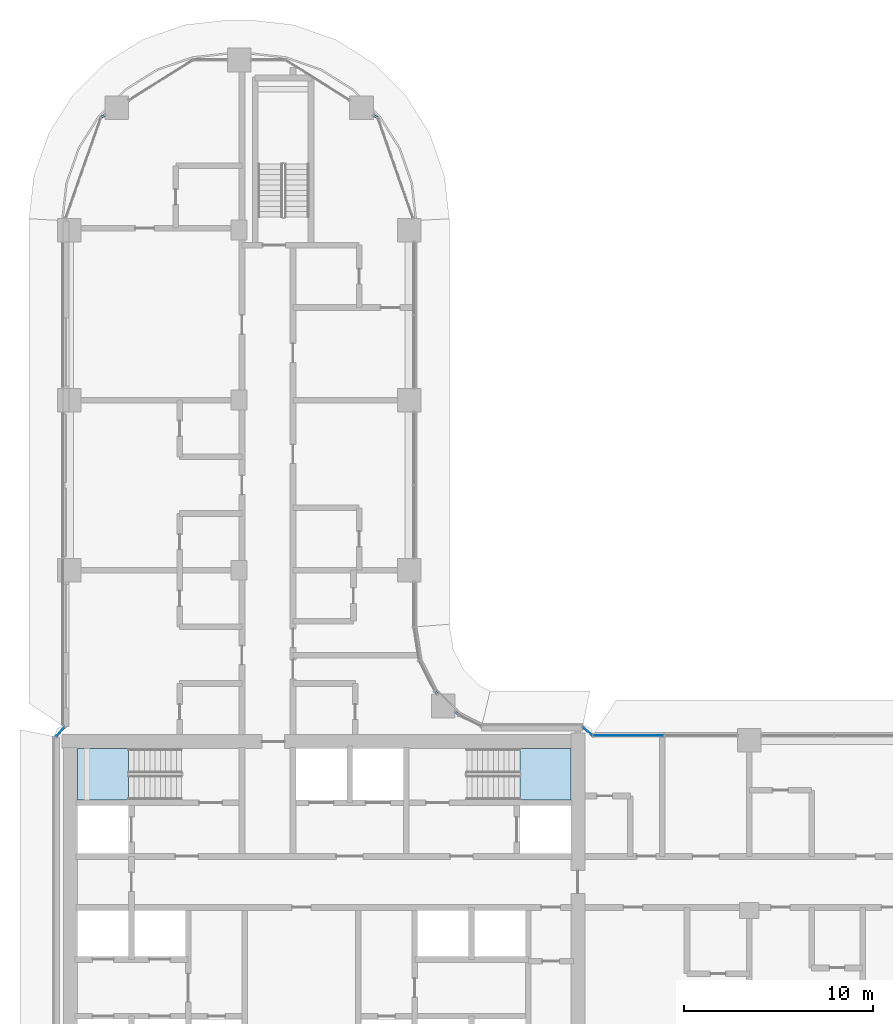
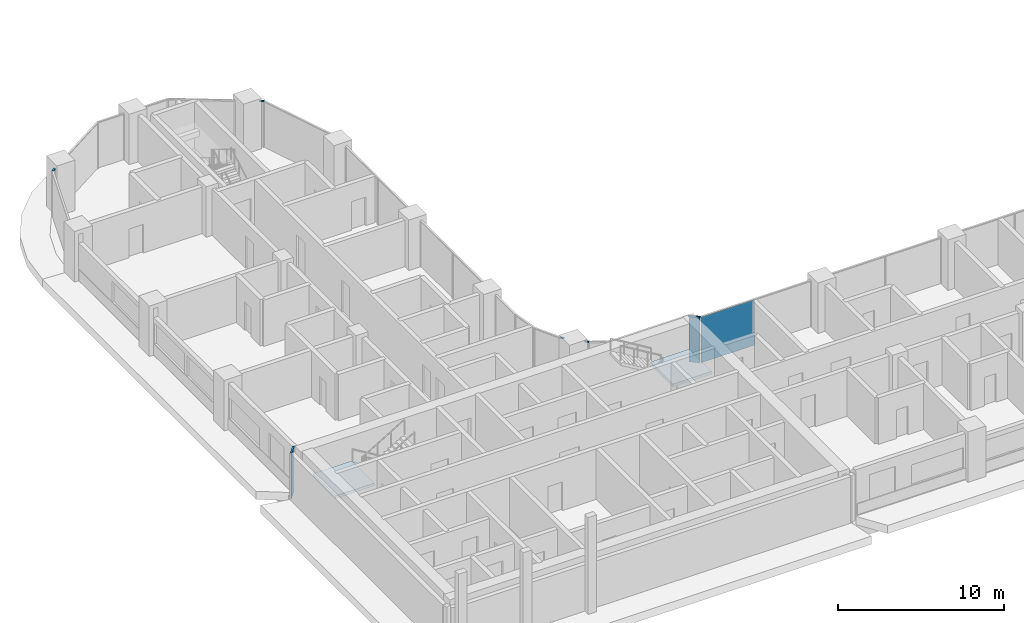
# One storey, part 10 of 33: 6 members, 3 plates, 2 slabs, 9 elements without a shape of their own.
"""IFC4 building model written with IfcOpenShell, lengths in metres."""

from ifc_helpers import new_model, si_unit, direction, frame, origin, origin_2d, place, context, subcontext, project, spatial, polyline, rectangle, outline, extrude, material, layer, layer_set, material_profile, profile_set, type_object, element, aggregate, save


model = new_model("IFC4")

# Units and contexts
model_context = context("Model", 3, precision=1e-05, world=origin(), true_north=direction((0.0, 1.0)))
body_context = subcontext(model_context, "Body", "Model", "MODEL_VIEW")
ifc_project = project(units=[si_unit("LENGTHUNIT", "METRE"), si_unit("AREAUNIT", "SQUARE_METRE"), si_unit("VOLUMEUNIT", "CUBIC_METRE"), si_unit("PLANEANGLEUNIT", "RADIAN"), si_unit("MASSUNIT", "GRAM", prefix="KILO")], contexts=[model_context])

# Site, building, storey
site_placement = place(None, origin())
site = spatial("IfcSite", under=ifc_project, at=site_placement, CompositionType="ELEMENT")
building_placement = place(site_placement, origin())
building = spatial("IfcBuilding", under=site, at=building_placement, Name="Ogive Portal Towers", CompositionType="ELEMENT")
storey_placement = place(building_placement, frame((0.0, 0.0, 98.199951171875)))
storey = spatial("IfcBuildingStorey", under=building, at=storey_placement, Name="L23", CompositionType="ELEMENT", Elevation=98.199951171875)

# Curtain wall, member
ifc_material_1 = material(Name="Glass, clear low-iron insulated glazing", Category="glass")
curtain_wall_type = type_object("IfcCurtainWallType", Name="CW FRONT RIBBON 4500", PredefinedType="NOTDEFINED", material=ifc_material_1)
curtain_wall_1_placement = place(storey_placement, origin())
curtain_wall_1 = element("IfcCurtainWall", 1, at=curtain_wall_1_placement, inside=storey, type_object=curtain_wall_type, Name="A:L23:f00:cwa", PredefinedType="NOTDEFINED")
ifc_material_2 = material(Name="Aluminium 6063 anodised", Category="aluminium")
ifc_material_profile = material_profile(ifc_material_2, rectangle(XDim=0.1201171875, YDim=0.06005859375, at=origin_2d()), Name="AL 120x60")
ifc_profile_set = profile_set([ifc_material_profile], Name="Aluminium 6063 anodised")
member_type = type_object("IfcMemberType", Name="CW TRANSOM 60x120", PredefinedType="USERDEFINED", material=ifc_profile_set)
member_1_placement = place(storey_placement, frame((59.22021484375, 39.739990234375, 3.3701171875), z_axis=(-0.753611342808, 0.657320275049, 0.0), x_axis=(-0.657320275049, -0.753611342808, 0.0)))
member_1 = element("IfcMember", 2, at=member_1_placement, type_object=member_type, Name="transom", ObjectType="TRANSOM", PredefinedType="USERDEFINED", context=body_context, shape_type="SweptSolid", body=[
    extrude(rectangle(XDim=0.1201171875, YDim=0.06005859375, at=origin_2d()), origin(), (0.0, 0.0, 1.0), 0.730224609375),
])

curtain_wall_2_placement = place(storey_placement, origin())
curtain_wall_2 = element("IfcCurtainWall", 3, at=curtain_wall_2_placement, inside=storey, type_object=curtain_wall_type, Name="A:L23:f02:cwa~0", PredefinedType="NOTDEFINED")
member_2_placement = place(storey_placement, frame((52.11376953125, 40.83935546875, 3.3701171875), z_axis=(-0.707106781187, 0.707106781187, 0.0), x_axis=(-0.707106781187, -0.707106781187, 0.0)))
member_2 = element("IfcMember", 4, at=member_2_placement, type_object=member_type, Name="transom", ObjectType="TRANSOM", PredefinedType="USERDEFINED", context=body_context, shape_type="SweptSolid", body=[
    extrude(rectangle(XDim=0.1201171875, YDim=0.06005859375, at=origin_2d()), origin(), (0.0, 0.0, 1.0), 0.252685546875),
])
aggregate(curtain_wall_2, [member_2])

curtain_wall_3_placement = place(storey_placement, origin())
curtain_wall_3 = element("IfcCurtainWall", 5, at=curtain_wall_3_placement, inside=storey, type_object=curtain_wall_type, Name="A:L23:f02:cwa~1", PredefinedType="NOTDEFINED")
member_3_placement = place(storey_placement, frame((51.01806640625, 41.93505859375, 3.3701171875), z_axis=(-0.707106781187, 0.707106781187, 0.0), x_axis=(-0.707106781187, -0.707106781187, 0.0)))
member_3 = element("IfcMember", 6, at=member_3_placement, type_object=member_type, Name="transom", ObjectType="TRANSOM", PredefinedType="USERDEFINED", context=body_context, shape_type="SweptSolid", body=[
    extrude(rectangle(XDim=0.1201171875, YDim=0.06005859375, at=origin_2d()), origin(), (0.0, 0.0, 1.0), 0.252685546875),
])
aggregate(curtain_wall_3, [member_3])

curtain_wall_4_placement = place(storey_placement, origin())
curtain_wall_4 = element("IfcCurtainWall", 7, at=curtain_wall_4_placement, inside=storey, type_object=curtain_wall_type, Name="A:L23:f07:cwa~0", PredefinedType="NOTDEFINED")
member_4_placement = place(storey_placement, frame((47.82958984375, 72.4462890625, 3.3701171875), z_axis=(-0.846843256455, 0.531842550946, 0.0), x_axis=(-0.531842550946, -0.846843256455, 0.0)))
member_4 = element("IfcMember", 8, at=member_4_placement, type_object=member_type, Name="transom", ObjectType="TRANSOM", PredefinedType="USERDEFINED", context=body_context, shape_type="SweptSolid", body=[
    extrude(rectangle(XDim=0.1201171875, YDim=0.06005859375, at=origin_2d()), origin(), (0.0, 0.0, 1.0), 0.273681640625),
])
aggregate(curtain_wall_4, [member_4])

curtain_wall_5_placement = place(storey_placement, origin())
curtain_wall_5 = element("IfcCurtainWall", 9, at=curtain_wall_5_placement, inside=storey, type_object=curtain_wall_type, Name="A:L23:f07:cwa~3", PredefinedType="NOTDEFINED")
member_5_placement = place(storey_placement, frame((33.402099609375, 72.591796875, 3.3701171875), z_axis=(-0.846843256455, -0.531842550946, 0.0), x_axis=(0.531842550946, -0.846843256455, 0.0)))
member_5 = element("IfcMember", 10, at=member_5_placement, type_object=member_type, Name="transom", ObjectType="TRANSOM", PredefinedType="USERDEFINED", context=body_context, shape_type="SweptSolid", body=[
    extrude(rectangle(XDim=0.1201171875, YDim=0.06005859375, at=origin_2d()), origin(), (0.0, 0.0, 1.0), 0.273681640625),
])
aggregate(curtain_wall_5, [member_5])

curtain_wall_6_placement = place(storey_placement, origin())
curtain_wall_6 = element("IfcCurtainWall", 11, at=curtain_wall_6_placement, inside=storey, type_object=curtain_wall_type, Name="A:L23:f13:cwa", PredefinedType="NOTDEFINED")
member_6_placement = place(storey_placement, frame((31.260009765625, 40.22021484375, 3.3701171875), z_axis=(-0.657320275049, -0.753611342808, 0.0), x_axis=(0.753611342808, -0.657320275049, 0.0)))
member_6 = element("IfcMember", 12, at=member_6_placement, type_object=member_type, Name="transom", ObjectType="TRANSOM", PredefinedType="USERDEFINED", context=body_context, shape_type="SweptSolid", body=[
    extrude(rectangle(XDim=0.1201171875, YDim=0.06005859375, at=origin_2d()), origin(), (0.0, 0.0, 1.0), 0.730224609375),
])

# Curtain wall, plate
curtain_wall_7_placement = place(storey_placement, origin())
curtain_wall_7 = element("IfcCurtainWall", 13, at=curtain_wall_7_placement, inside=storey, type_object=curtain_wall_type, Name="A:L23:f26:cw0~3", PredefinedType="NOTDEFINED")
ifc_layer_1 = layer(ifc_material_1, 0.028076171875)
ifc_layer_set_1 = layer_set([ifc_layer_1], Name="CW PANEL IGU 28")
plate_type = type_object("IfcPlateType", Name="CW PANEL IGU 28", PredefinedType="CURTAIN_PANEL", material=ifc_layer_set_1)
plate_1_placement = place(storey_placement, frame((61.110107421875, 39.739990234375, 0.0), z_axis=(0.0, 0.0, 1.0), x_axis=(-1.0, 0.0, 0.0)))
plate_1 = element("IfcPlate", 14, at=plate_1_placement, type_object=plate_type, Name="panel", PredefinedType="CURTAIN_PANEL", context=body_context, shape_type="SweptSolid", body=[
    extrude(rectangle(XDim=3.7197265625, YDim=0.028076171875, at=origin_2d()), origin(), (0.0, 0.0, 1.0), 3.340087890625),
])
aggregate(curtain_wall_7, [plate_1])

# Plate
plate_2_placement = place(storey_placement, frame((58.945068359375, 39.97998046875, 0.0), z_axis=(0.0, 0.0, 1.0), x_axis=(-0.753598923768, 0.657334513087, 0.0)))
plate_2 = element("IfcPlate", 15, at=plate_2_placement, type_object=plate_type, Name="panel", PredefinedType="CURTAIN_PANEL", context=body_context, shape_type="SweptSolid", body=[
    extrude(rectangle(XDim=0.670166015625, YDim=0.028076171875, at=origin_2d()), origin(), (0.0, 0.0, 1.0), 3.340087890625),
])

aggregate(curtain_wall_1, [member_1, plate_2])

plate_3_placement = place(storey_placement, frame((31.02001953125, 39.945068359375, 0.0), z_axis=(0.0, 0.0, 1.0), x_axis=(-0.657334513087, -0.753598923768, 0.0)))
plate_3 = element("IfcPlate", 16, at=plate_3_placement, type_object=plate_type, Name="panel", PredefinedType="CURTAIN_PANEL", context=body_context, shape_type="SweptSolid", body=[
    extrude(rectangle(XDim=0.670166015625, YDim=0.028076171875, at=origin_2d()), origin(), (0.0, 0.0, 1.0), 3.340087890625),
])

aggregate(curtain_wall_6, [member_6, plate_3])

# Stair, slab
ifc_material_3 = material(Name="Concrete C40/50", Category="concrete")
stair_type = type_object("IfcStairType", Name="INT-STAIR", PredefinedType="HALF_TURN_STAIR", material=ifc_material_3)
stair_1_placement = place(storey_placement, origin())
stair_1 = element("IfcStair", 17, at=stair_1_placement, inside=storey, type_object=stair_type, Name="L23 Exit Stair ST-A1", PredefinedType="HALF_TURN_STAIR")
ifc_layer_2 = layer(ifc_material_3, 0.199951171875)
ifc_layer_set_2 = layer_set([ifc_layer_2], Name="INT-LANDING")
slab_type = type_object("IfcSlabType", Name="INT-LANDING", PredefinedType="LANDING", material=ifc_layer_set_2)
slab_1_placement = place(storey_placement, frame((0.0, 0.0, 1.650146484375)))
slab_1 = element("IfcSlab", 18, at=slab_1_placement, type_object=slab_type, Name="ST-A1 landing 1", PredefinedType="LANDING", context=body_context, shape_type="SweptSolid", body=[
    extrude(outline(polyline([(34.64990234375, 39.050048828125), (31.949951171875, 39.050048828125), (31.949951171875, 36.35009765625), (34.64990234375, 36.35009765625), (34.64990234375, 39.050048828125)])), origin(), (0.0, 0.0, 1.0), 0.199951171875),
])
aggregate(stair_1, [slab_1])

stair_2_placement = place(storey_placement, origin())
stair_2 = element("IfcStair", 19, at=stair_2_placement, inside=storey, type_object=stair_type, Name="L23 Exit Stair ST-A2", PredefinedType="HALF_TURN_STAIR")
slab_2_placement = place(storey_placement, frame((0.0, 0.0, 1.650146484375)))
slab_2 = element("IfcSlab", 20, at=slab_2_placement, type_object=slab_type, Name="ST-A2 landing 1", PredefinedType="LANDING", context=body_context, shape_type="SweptSolid", body=[
    extrude(outline(polyline([(55.35009765625, 36.35009765625), (58.050048828125, 36.35009765625), (58.050048828125, 39.050048828125), (55.35009765625, 39.050048828125), (55.35009765625, 36.35009765625)])), origin(), (0.0, 0.0, 1.0), 0.199951171875),
])
aggregate(stair_2, [slab_2])

save(model, "model.ifc")
